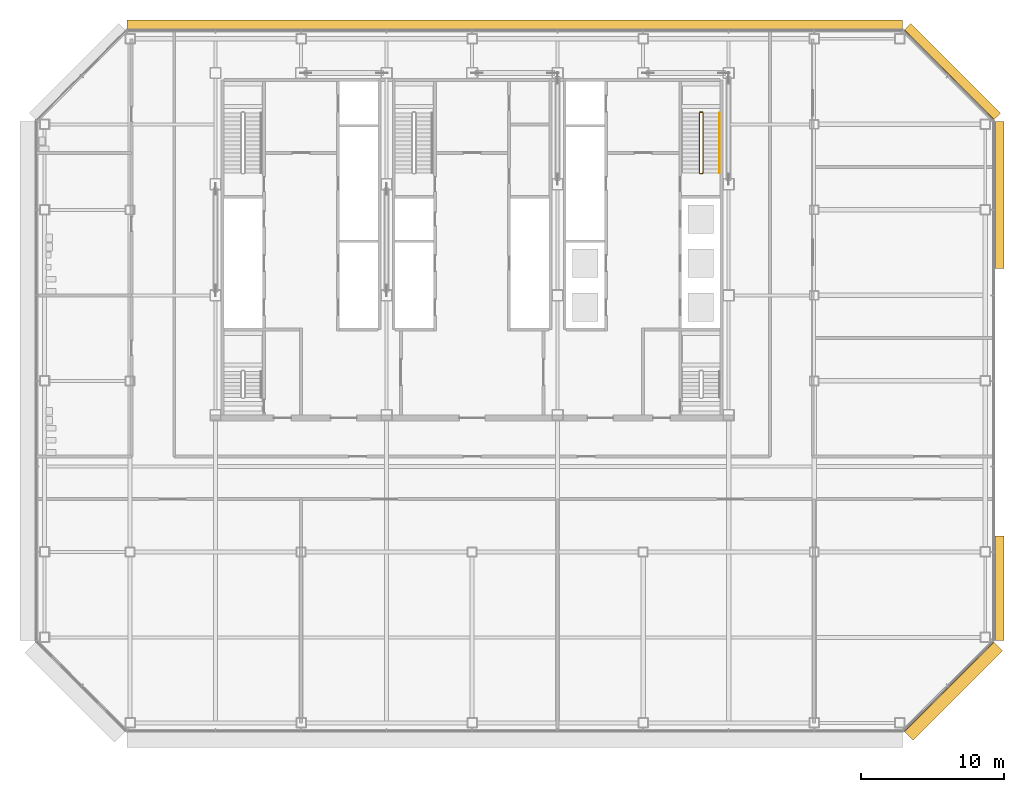
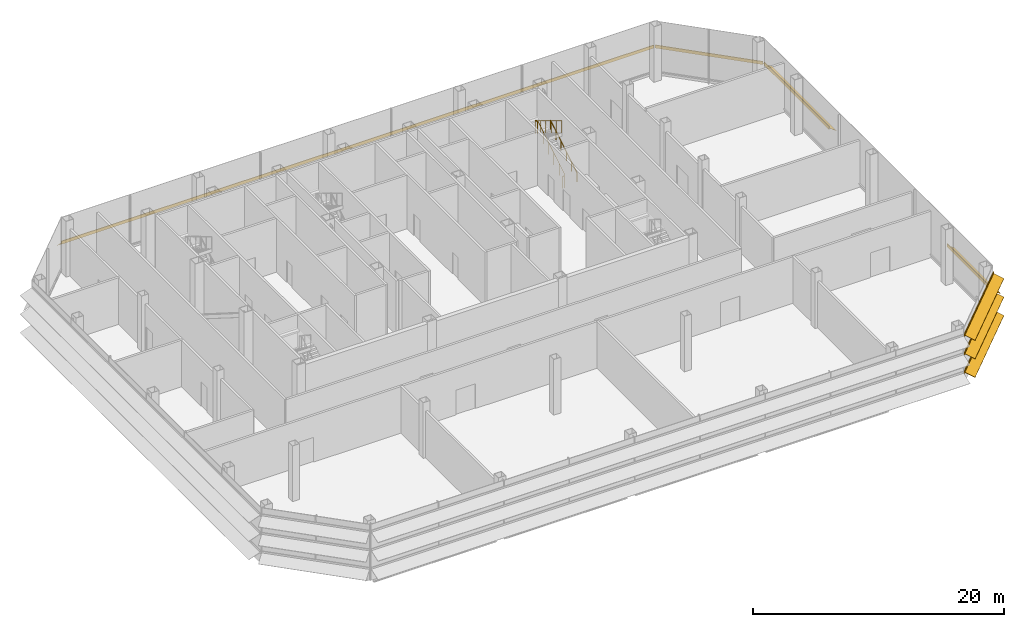
# One storey, part 22 of 24: 5 shading devices, 2 railings.
"""IFC4 building model written with IfcOpenShell, lengths in metres."""

from ifc_helpers import new_model, si_unit, direction, frame, origin, origin_2d, place, context, subcontext, project, spatial, polyline, circle, outline, composite_profile, extrude, material, type_object, element, save


model = new_model("IFC4")

# Units and contexts
model_context = context("Model", 3, precision=1e-05, world=origin(), true_north=direction((0.0, 1.0)))
body_context = subcontext(model_context, "Body", "Model", "MODEL_VIEW")
ifc_project = project(units=[si_unit("LENGTHUNIT", "METRE"), si_unit("AREAUNIT", "SQUARE_METRE"), si_unit("VOLUMEUNIT", "CUBIC_METRE"), si_unit("PLANEANGLEUNIT", "RADIAN"), si_unit("MASSUNIT", "GRAM", prefix="KILO")], contexts=[model_context])

# Site, building, storey
site_placement = place(None, origin())
site = spatial("IfcSite", under=ifc_project, at=site_placement, CompositionType="ELEMENT")
building_placement = place(site_placement, origin())
building = spatial("IfcBuilding", under=site, at=building_placement, Name="Sorahane Residences", CompositionType="ELEMENT")
storey_placement = place(building_placement, frame((0.0, 0.0, 161.800048828125)))
storey = spatial("IfcBuildingStorey", under=building, at=storey_placement, Name="L37", CompositionType="ELEMENT", Elevation=161.800048828125)

# Shading devices
ifc_material_1 = material(Name="Terracotta anodised aluminium", Category="masonry")
shading_device_type_1 = type_object("IfcShadingDeviceType", Name="Louvre sunshade blade E terracotta aluminium 700", PredefinedType="JALOUSIE", material=ifc_material_1)
shading_device_1_placement = place(storey_placement, frame((60.60009765625, 5.801513671875, 2.699951171875), z_axis=(0.0, 1.0, 0.0), x_axis=(-1.0, 0.0, 0.0)))
element("IfcShadingDevice", 1, at=shading_device_1_placement, inside=storey, type_object=shading_device_type_1, Name="Louvre sunshade blade bank E L37 E1", PredefinedType="JALOUSIE", context=body_context, shape_type="SweptSolid", body=[
    extrude(outline(polyline([(-0.719970703125, -0.49365234375), (-0.719970703125, -0.523681640625), (-0.080078125, -0.05859375), (-0.080078125, -0.14990234375), (-0.02001953125, -0.14990234375), (-0.02001953125, -0.014892578125), (-0.02001953125, 0.014892578125), (-0.02001953125, 0.14990234375), (-0.080078125, 0.14990234375), (-0.080078125, -0.028564453125), (-0.719970703125, -0.49365234375)])), origin(), (0.0, 0.0, 1.0), 7.3291015625),
])
shading_device_2_placement = place(storey_placement, frame((60.60009765625, 31.869384765625, 2.699951171875), z_axis=(0.0, 1.0, 0.0), x_axis=(-1.0, 0.0, 0.0)))
element("IfcShadingDevice", 2, at=shading_device_2_placement, inside=storey, type_object=shading_device_type_1, Name="Louvre sunshade blade bank E L37 E1 part 2", PredefinedType="JALOUSIE", context=body_context, shape_type="SweptSolid", body=[
    extrude(outline(polyline([(-0.719970703125, -0.49365234375), (-0.719970703125, -0.523681640625), (-0.080078125, -0.05859375), (-0.080078125, -0.14990234375), (-0.02001953125, -0.14990234375), (-0.02001953125, -0.014892578125), (-0.02001953125, 0.014892578125), (-0.02001953125, 0.14990234375), (-0.080078125, 0.14990234375), (-0.080078125, -0.028564453125), (-0.719970703125, -0.49365234375)])), origin(), (0.0, 0.0, 1.0), 10.3291015625),
])
ifc_material_2 = material(Name="Terracotta anodised aluminium", Category="masonry")
shading_device_type_2 = type_object("IfcShadingDeviceType", Name="Louvre sunshade blade N terracotta aluminium 700", PredefinedType="JALOUSIE", material=ifc_material_2)
shading_device_3_placement = place(storey_placement, frame((54.198486328125, 48.60009765625, 2.699951171875), z_axis=(-1.0, 0.0, 0.0), x_axis=(0.0, -1.0, 0.0)))
element("IfcShadingDevice", 3, at=shading_device_3_placement, inside=storey, type_object=shading_device_type_2, Name="Louvre sunshade blade bank N L37 N1", PredefinedType="JALOUSIE", context=body_context, shape_type="SweptSolid", body=[
    extrude(outline(polyline([(-0.719970703125, -0.660888671875), (-0.719970703125, -0.69091796875), (-0.080078125, -0.072998046875), (-0.080078125, -0.14990234375), (-0.02001953125, -0.14990234375), (-0.02001953125, -0.014892578125), (-0.02001953125, 0.014892578125), (-0.02001953125, 0.14990234375), (-0.080078125, 0.14990234375), (-0.080078125, -0.04296875), (-0.719970703125, -0.660888671875)])), origin(), (0.0, 0.0, 1.0), 54.39697265625),
])
ifc_material_3 = material(Name="Terracotta anodised aluminium", Category="masonry")
shading_device_type_3 = type_object("IfcShadingDeviceType", Name="Louvre sunshade blade NE terracotta aluminium 700", PredefinedType="JALOUSIE", material=ifc_material_3)
shading_device_4_placement = place(storey_placement, frame((60.564697265625, 42.283935546875, 2.699951171875), z_axis=(-0.707106781187, 0.707106781187, 0.0), x_axis=(-0.707106781187, -0.707106781187, 0.0)))
element("IfcShadingDevice", 4, at=shading_device_4_placement, inside=storey, type_object=shading_device_type_3, Name="Louvre sunshade blade bank NE L37 NE1", PredefinedType="JALOUSIE", context=body_context, shape_type="SweptSolid", body=[
    extrude(outline(polyline([(-0.719970703125, -0.572509765625), (-0.719970703125, -0.602294921875), (-0.080078125, -0.065185546875), (-0.080078125, -0.14990234375), (-0.02001953125, -0.14990234375), (-0.02001953125, -0.014892578125), (-0.02001953125, 0.014892578125), (-0.02001953125, 0.14990234375), (-0.080078125, 0.14990234375), (-0.080078125, -0.035400390625), (-0.719970703125, -0.572509765625)])), origin(), (0.0, 0.0, 1.0), 8.88232421875),
])
ifc_material_4 = material(Name="Terracotta anodised aluminium", Category="masonry")
shading_device_type_4 = type_object("IfcShadingDeviceType", Name="Louvre sunshade blade SE terracotta aluminium 900", PredefinedType="JALOUSIE", material=ifc_material_4)
shading_device_5_placement = place(storey_placement, frame((54.283935546875, -0.564697265625, 0.89990234375), z_axis=(0.707106781187, 0.707106781187, 0.0), x_axis=(-0.707106781187, 0.707106781187, 0.0)))
element("IfcShadingDevice", 5, at=shading_device_5_placement, inside=storey, type_object=shading_device_type_4, Name="Louvre sunshade blade bank SE L37 SE1", PredefinedType="JALOUSIE", context=body_context, shape_type="SweptSolid", body=[
    extrude(composite_profile([outline(polyline([(-0.919921875, -0.3486328125), (-0.919921875, -0.378662109375), (-0.080078125, -0.039306640625), (-0.080078125, -0.14990234375), (-0.02001953125, -0.14990234375), (-0.02001953125, -0.014892578125), (-0.02001953125, 0.014892578125), (-0.02001953125, 0.14990234375), (-0.080078125, 0.14990234375), (-0.080078125, -0.00927734375), (-0.919921875, -0.3486328125)])), outline(polyline([(-0.919921875, 1.451416015625), (-0.919921875, 1.42138671875), (-0.080078125, 1.7607421875), (-0.080078125, 1.64990234375), (-0.02001953125, 1.64990234375), (-0.02001953125, 1.784912109375), (-0.02001953125, 1.81494140625), (-0.02001953125, 1.949951171875), (-0.080078125, 1.949951171875), (-0.080078125, 1.790771484375), (-0.919921875, 1.451416015625)])), outline(polyline([(-0.919921875, 3.25146484375), (-0.919921875, 3.221435546875), (-0.080078125, 3.560791015625), (-0.080078125, 3.449951171875), (-0.02001953125, 3.449951171875), (-0.02001953125, 3.5849609375), (-0.02001953125, 3.614990234375), (-0.02001953125, 3.75), (-0.080078125, 3.75), (-0.080078125, 3.5908203125), (-0.919921875, 3.25146484375)]))]), origin(), (0.0, 0.0, 1.0), 8.88232421875),
])

# Railings
ifc_material_5 = material(Name="Steel Q355B", Category="steel")
railing_type_1 = type_object("IfcRailingType", Name="Stair guard 1200 Steel Q355B", PredefinedType="GUARDRAIL", material=ifc_material_5)
railing_1_placement = place(storey_placement, frame((40.0, 38.550048828125, 0.0)))
element("IfcRailing", 6, at=railing_1_placement, inside=storey, type_object=railing_type_1, Name="L37 S2 stair guard 1", PredefinedType="GUARDRAIL", context=body_context, shape_type="SweptSolid", body=[
    extrude(circle(Radius=0.02392578125, at=origin_2d()), frame((0.0, 0.0, 1.17578125), z_axis=(1.0, 0.0, 0.0), x_axis=(0.0, 1.0, 0.0)), (0.0, 0.0, 1.0), 0.14990234375),
    extrude(circle(Radius=0.02392578125, at=origin_2d()), frame((0.14990234375, 0.0, 1.17578125), z_axis=(0.273569069059, 0.273569069059, 0.922127935218), x_axis=(-0.707106781187, 0.707106781187, 0.0)), (0.0, 0.0, 1.0), 0.182861328125),
    extrude(circle(Radius=0.02392578125, at=origin_2d()), frame((0.199951171875, 0.050048828125, 1.3447265625), z_axis=(0.0, 0.856476492594, 0.516186030065), x_axis=(-1.0, 0.0, 0.0)), (0.0, 0.0, 1.0), 4.90380859375),
    extrude(circle(Radius=0.02392578125, at=origin_2d()), frame((0.199951171875, 4.25, 3.8759765625), z_axis=(-0.707106781187, 0.707106781187, 0.0), x_axis=(-0.707106781187, -0.707106781187, 0.0)), (0.0, 0.0, 1.0), 0.07080078125),
    extrude(circle(Radius=0.02392578125, at=origin_2d()), frame((0.14990234375, 4.300048828125, 3.8759765625), z_axis=(-1.0, 0.0, 0.0), x_axis=(0.0, -1.0, 0.0)), (0.0, 0.0, 1.0), 0.14990234375),
    extrude(circle(Radius=0.02392578125, at=origin_2d()), frame((0.0, 4.300048828125, 3.8759765625), z_axis=(-0.273569069059, -0.273569069059, 0.922127935218), x_axis=(0.707106781187, -0.707106781187, 0.0)), (0.0, 0.0, 1.0), 0.182861328125),
    extrude(circle(Radius=0.02392578125, at=origin_2d()), frame((-0.050048828125, 4.25, 4.04443359375), z_axis=(0.0, -0.856476492594, 0.516186030065), x_axis=(1.0, 0.0, 0.0)), (0.0, 0.0, 1.0), 4.90380859375),
    extrude(circle(Radius=0.02099609375, at=origin_2d()), origin(), (0.0, 0.0, 1.0), 1.15185546875),
    extrude(circle(Radius=0.02099609375, at=origin_2d()), frame((0.14990234375, 0.0, 0.0)), (0.0, 0.0, 1.0), 1.15185546875),
    extrude(circle(Radius=0.02099609375, at=origin_2d()), frame((0.199951171875, 0.050048828125, 0.168701171875)), (0.0, 0.0, 1.0), 1.15185546875),
    extrude(circle(Radius=0.02099609375, at=origin_2d()), frame((0.199951171875, 0.89013671875, 0.675048828125)), (0.0, 0.0, 1.0), 1.15185546875),
    extrude(circle(Radius=0.02099609375, at=origin_2d()), frame((0.199951171875, 1.72998046875, 1.18115234375)), (0.0, 0.0, 1.0), 1.15185546875),
    extrude(circle(Radius=0.02099609375, at=origin_2d()), frame((0.199951171875, 2.570068359375, 1.6875)), (0.0, 0.0, 1.0), 1.15185546875),
    extrude(circle(Radius=0.02099609375, at=origin_2d()), frame((0.199951171875, 3.409912109375, 2.193603515625)), (0.0, 0.0, 1.0), 1.15185546875),
    extrude(circle(Radius=0.02099609375, at=origin_2d()), frame((0.199951171875, 4.25, 2.699951171875)), (0.0, 0.0, 1.0), 1.15185546875),
    extrude(circle(Radius=0.02099609375, at=origin_2d()), frame((0.14990234375, 4.300048828125, 2.699951171875)), (0.0, 0.0, 1.0), 1.15185546875),
    extrude(circle(Radius=0.02099609375, at=origin_2d()), frame((0.0, 4.300048828125, 2.699951171875)), (0.0, 0.0, 1.0), 1.15185546875),
    extrude(circle(Radius=0.02099609375, at=origin_2d()), frame((-0.050048828125, 4.25, 2.86865234375)), (0.0, 0.0, 1.0), 1.15185546875),
    extrude(circle(Radius=0.02099609375, at=origin_2d()), frame((-0.050048828125, 3.409912109375, 3.375)), (0.0, 0.0, 1.0), 1.15185546875),
    extrude(circle(Radius=0.02099609375, at=origin_2d()), frame((-0.050048828125, 2.570068359375, 3.881103515625)), (0.0, 0.0, 1.0), 1.15185546875),
    extrude(circle(Radius=0.02099609375, at=origin_2d()), frame((-0.050048828125, 1.72998046875, 4.387451171875)), (0.0, 0.0, 1.0), 1.15185546875),
    extrude(circle(Radius=0.02099609375, at=origin_2d()), frame((-0.050048828125, 0.89013671875, 4.8935546875)), (0.0, 0.0, 1.0), 1.15185546875),
    extrude(circle(Radius=0.02099609375, at=origin_2d()), frame((-0.050048828125, 0.050048828125, 5.39990234375)), (0.0, 0.0, 1.0), 1.15185546875),
])
ifc_material_6 = material(Name="Steel Q355B", Category="steel")
railing_type_2 = type_object("IfcRailingType", Name="Stair handrail 900 Steel Q355B", PredefinedType="HANDRAIL", material=ifc_material_6)
railing_2_placement = place(storey_placement, frame((41.35009765625, 38.60009765625, 0.168701171875)))
element("IfcRailing", 7, at=railing_2_placement, inside=storey, type_object=railing_type_2, Name="L37 S2 stair handrail 1", PredefinedType="HANDRAIL", context=body_context, shape_type="SweptSolid", body=[
    extrude(circle(Radius=0.02392578125, at=origin_2d()), frame((0.0, 0.0, 0.8759765625), z_axis=(0.0, 0.856476492594, 0.516186030065), x_axis=(-1.0, 0.0, 0.0)), (0.0, 0.0, 1.0), 4.90380859375),
    extrude(circle(Radius=0.02099609375, at=origin_2d()), origin(), (0.0, 0.0, 1.0), 0.851806640625),
    extrude(circle(Radius=0.02099609375, at=origin_2d()), frame((0.0, 0.840087890625, 0.50634765625)), (0.0, 0.0, 1.0), 0.851806640625),
    extrude(circle(Radius=0.02099609375, at=origin_2d()), frame((0.0, 1.679931640625, 1.012451171875)), (0.0, 0.0, 1.0), 0.851806640625),
    extrude(circle(Radius=0.02099609375, at=origin_2d()), frame((0.0, 2.52001953125, 1.518798828125)), (0.0, 0.0, 1.0), 0.851806640625),
    extrude(circle(Radius=0.02099609375, at=origin_2d()), frame((0.0, 3.35986328125, 2.02490234375)), (0.0, 0.0, 1.0), 0.851806640625),
    extrude(circle(Radius=0.02099609375, at=origin_2d()), frame((0.0, 4.199951171875, 2.53125)), (0.0, 0.0, 1.0), 0.851806640625),
])

save(model, "model.ifc")
